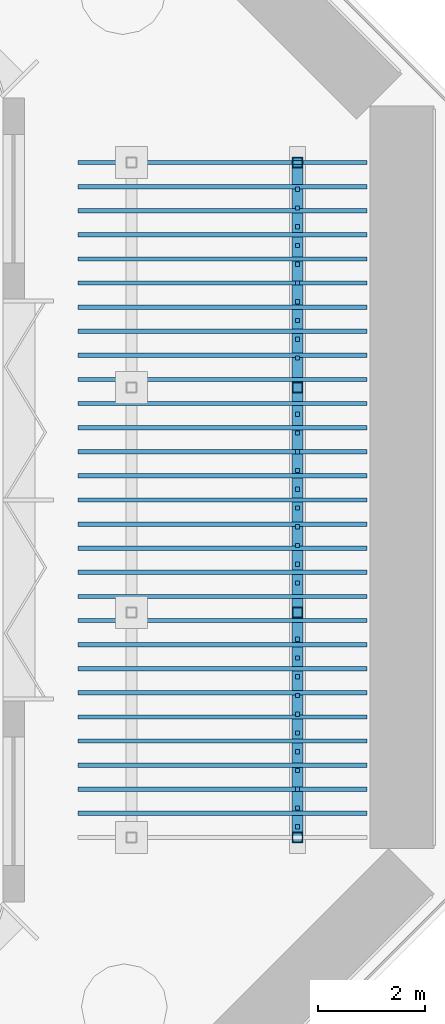
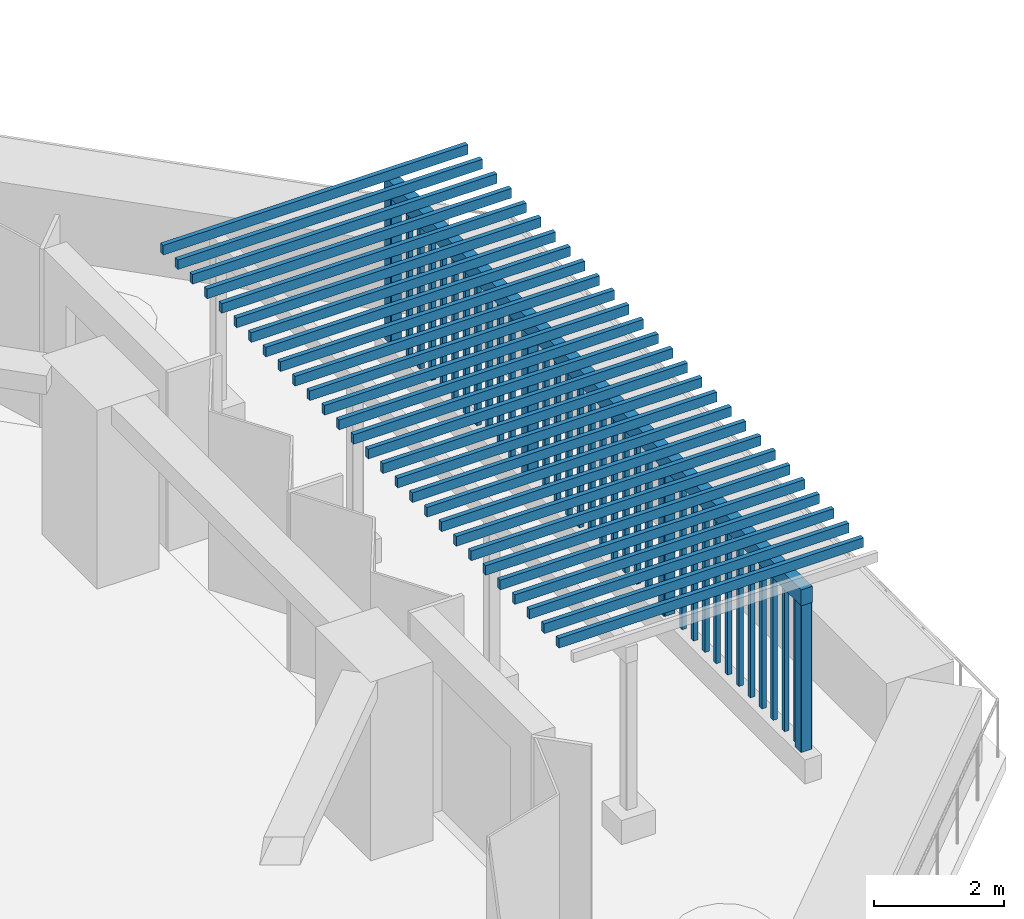
# One storey, part 6 of 18: 64 members.
"""IFC4 building model written with IfcOpenShell, lengths in metres."""

from ifc_helpers import new_model, si_unit, direction, frame, origin, origin_2d, place, context, subcontext, project, spatial, rectangle, hollow_rectangle, extrude, material, material_profile, profile_set, type_object, element, save


model = new_model("IFC4")

# Units and contexts
model_context = context("Model", 3, precision=1e-05, world=origin(), true_north=direction((0.0, 1.0)))
body_context = subcontext(model_context, "Body", "Model", "MODEL_VIEW")
ifc_project = project(units=[si_unit("LENGTHUNIT", "METRE"), si_unit("AREAUNIT", "SQUARE_METRE"), si_unit("VOLUMEUNIT", "CUBIC_METRE"), si_unit("PLANEANGLEUNIT", "RADIAN"), si_unit("MASSUNIT", "GRAM", prefix="KILO")], contexts=[model_context])

# Site, building, storey
site_placement = place(None, origin())
site = spatial("IfcSite", under=ifc_project, at=site_placement, CompositionType="ELEMENT")
building_placement = place(site_placement, origin())
building = spatial("IfcBuilding", under=site, at=building_placement, Name="Brevane Broadcast Tower", CompositionType="ELEMENT")
storey_placement = place(building_placement, frame((0.0, 0.0, 134.89990234375)))
storey = spatial("IfcBuildingStorey", under=building, at=storey_placement, Name="L33", CompositionType="ELEMENT", Elevation=134.89990234375)

# Members
ifc_material_1 = material(Name="Steel S355", Category="steel")
ifc_material_profile_1 = material_profile(ifc_material_1, hollow_rectangle(XDim=0.199951171875, YDim=0.199951171875, WallThickness=0.010009765625, InnerFilletRadius=0.010009765625, OuterFilletRadius=0.02001953125, at=origin_2d()), Name="RHS 200x200x10")
ifc_profile_set_1 = profile_set([ifc_material_profile_1], Name="Steel S355")
member_type_1 = type_object("IfcMemberType", Name="Sky garden pergola post RHS 200x200x10 S355", PredefinedType="POST", material=ifc_profile_set_1)
for number, where, z_axis, x_axis, name in (
    (1, (65.199951171875, 6.300048828125, 0.4501953125), (0.0, 0.0, 1.0), (1.0, 0.0, 0.0), "Sky garden trellis post L33-5"),
    (2, (65.199951171875, 10.5, 0.4501953125), (0.0, 0.0, 1.0), (1.0, 0.0, 0.0), "Sky garden trellis post L33-6"),
    (3, (65.199951171875, 14.699951171875, 0.4501953125), (0.0, 0.0, 1.0), (1.0, 0.0, 0.0), "Sky garden trellis post L33-7"),
    (4, (65.199951171875, 18.89990234375, 0.4501953125), (0.0, 0.0, 1.0), (1.0, 0.0, 0.0), "Sky garden trellis post L33-8"),
):
    element("IfcMember", number, at=place(storey_placement, frame(where, z_axis=z_axis, x_axis=x_axis)), inside=storey, type_object=member_type_1, Name=name, PredefinedType="POST", context=body_context, shape_type="SweptSolid", body=[
        extrude(hollow_rectangle(XDim=0.199951171875, YDim=0.199951171875, WallThickness=0.010009765625, InnerFilletRadius=0.010009765625, OuterFilletRadius=0.02001953125, at=origin_2d()), origin(), (0.0, 0.0, 1.0), 2.75),
    ])
ifc_material_2 = material(Name="Glulam GL28h", Category="wood")
ifc_material_profile_2 = material_profile(ifc_material_2, rectangle(XDim=0.199951171875, YDim=0.300048828125, at=origin_2d()), Name="RECT 200x300")
ifc_profile_set_2 = profile_set([ifc_material_profile_2], Name="Glulam GL28h")
member_type_2 = type_object("IfcMemberType", Name="Sky garden trellis beam glulam 200x300 GL28h", PredefinedType="USERDEFINED", material=ifc_profile_set_2)
member_placement = place(storey_placement, frame((65.199951171875, 6.199951171875, 3.35009765625), z_axis=(0.0, 1.0, 0.0), x_axis=(-1.0, 0.0, 0.0)))
element("IfcMember", 5, at=member_placement, inside=storey, type_object=member_type_2, Name="Sky garden trellis beam L33-2", ObjectType="TRELLIS BEAM", PredefinedType="USERDEFINED", context=body_context, shape_type="SweptSolid", body=[
    extrude(rectangle(XDim=0.199951171875, YDim=0.300048828125, at=origin_2d()), origin(), (0.0, 0.0, 1.0), 12.800048828125),
])
ifc_material_profile_3 = material_profile(ifc_material_2, rectangle(XDim=0.080078125, YDim=0.179931640625, at=origin_2d()), Name="RECT 80x180")
ifc_profile_set_3 = profile_set([ifc_material_profile_3], Name="Glulam GL28h")
member_type_3 = type_object("IfcMemberType", Name="Sky garden trellis rafter glulam 80x180 GL28h", PredefinedType="USERDEFINED", material=ifc_profile_set_3)
for number, where, z_axis, x_axis, name in (
    (6, (61.10009765625, 6.75, 3.590087890625), (1.0, 0.0, 0.0), (0.0, 1.0, 0.0), "Sky garden trellis rafter L33-2"),
    (7, (61.10009765625, 7.199951171875, 3.590087890625), (1.0, 0.0, 0.0), (0.0, 1.0, 0.0), "Sky garden trellis rafter L33-3"),
    (8, (61.10009765625, 7.64990234375, 3.590087890625), (1.0, 0.0, 0.0), (0.0, 1.0, 0.0), "Sky garden trellis rafter L33-4"),
    (9, (61.10009765625, 8.10009765625, 3.590087890625), (1.0, 0.0, 0.0), (0.0, 1.0, 0.0), "Sky garden trellis rafter L33-5"),
    (10, (61.10009765625, 8.550048828125, 3.590087890625), (1.0, 0.0, 0.0), (0.0, 1.0, 0.0), "Sky garden trellis rafter L33-6"),
    (11, (61.10009765625, 9.0, 3.590087890625), (1.0, 0.0, 0.0), (0.0, 1.0, 0.0), "Sky garden trellis rafter L33-7"),
    (12, (61.10009765625, 9.449951171875, 3.590087890625), (1.0, 0.0, 0.0), (0.0, 1.0, 0.0), "Sky garden trellis rafter L33-8"),
    (13, (61.10009765625, 9.89990234375, 3.590087890625), (1.0, 0.0, 0.0), (0.0, 1.0, 0.0), "Sky garden trellis rafter L33-9"),
    (14, (61.10009765625, 10.35009765625, 3.590087890625), (1.0, 0.0, 0.0), (0.0, 1.0, 0.0), "Sky garden trellis rafter L33-10"),
    (15, (61.10009765625, 10.800048828125, 3.590087890625), (1.0, 0.0, 0.0), (0.0, 1.0, 0.0), "Sky garden trellis rafter L33-11"),
    (16, (61.10009765625, 11.25, 3.590087890625), (1.0, 0.0, 0.0), (0.0, 1.0, 0.0), "Sky garden trellis rafter L33-12"),
    (17, (61.10009765625, 11.699951171875, 3.590087890625), (1.0, 0.0, 0.0), (0.0, 1.0, 0.0), "Sky garden trellis rafter L33-13"),
    (18, (61.10009765625, 12.14990234375, 3.590087890625), (1.0, 0.0, 0.0), (0.0, 1.0, 0.0), "Sky garden trellis rafter L33-14"),
    (19, (61.10009765625, 12.60009765625, 3.590087890625), (1.0, 0.0, 0.0), (0.0, 1.0, 0.0), "Sky garden trellis rafter L33-15"),
    (20, (61.10009765625, 13.050048828125, 3.590087890625), (1.0, 0.0, 0.0), (0.0, 1.0, 0.0), "Sky garden trellis rafter L33-16"),
    (21, (61.10009765625, 13.5, 3.590087890625), (1.0, 0.0, 0.0), (0.0, 1.0, 0.0), "Sky garden trellis rafter L33-17"),
    (22, (61.10009765625, 13.949951171875, 3.590087890625), (1.0, 0.0, 0.0), (0.0, 1.0, 0.0), "Sky garden trellis rafter L33-18"),
    (23, (61.10009765625, 14.39990234375, 3.590087890625), (1.0, 0.0, 0.0), (0.0, 1.0, 0.0), "Sky garden trellis rafter L33-19"),
    (24, (61.10009765625, 14.85009765625, 3.590087890625), (1.0, 0.0, 0.0), (0.0, 1.0, 0.0), "Sky garden trellis rafter L33-20"),
    (25, (61.10009765625, 15.300048828125, 3.590087890625), (1.0, 0.0, 0.0), (0.0, 1.0, 0.0), "Sky garden trellis rafter L33-21"),
    (26, (61.10009765625, 15.75, 3.590087890625), (1.0, 0.0, 0.0), (0.0, 1.0, 0.0), "Sky garden trellis rafter L33-22"),
    (27, (61.10009765625, 16.199951171875, 3.590087890625), (1.0, 0.0, 0.0), (0.0, 1.0, 0.0), "Sky garden trellis rafter L33-23"),
    (28, (61.10009765625, 16.64990234375, 3.590087890625), (1.0, 0.0, 0.0), (0.0, 1.0, 0.0), "Sky garden trellis rafter L33-24"),
    (29, (61.10009765625, 17.10009765625, 3.590087890625), (1.0, 0.0, 0.0), (0.0, 1.0, 0.0), "Sky garden trellis rafter L33-25"),
    (30, (61.10009765625, 17.550048828125, 3.590087890625), (1.0, 0.0, 0.0), (0.0, 1.0, 0.0), "Sky garden trellis rafter L33-26"),
    (31, (61.10009765625, 18.0, 3.590087890625), (1.0, 0.0, 0.0), (0.0, 1.0, 0.0), "Sky garden trellis rafter L33-27"),
    (32, (61.10009765625, 18.449951171875, 3.590087890625), (1.0, 0.0, 0.0), (0.0, 1.0, 0.0), "Sky garden trellis rafter L33-28"),
    (33, (61.10009765625, 18.89990234375, 3.590087890625), (1.0, 0.0, 0.0), (0.0, 1.0, 0.0), "Sky garden trellis rafter L33-29"),
):
    element("IfcMember", number, at=place(storey_placement, frame(where, z_axis=z_axis, x_axis=x_axis)), inside=storey, type_object=member_type_3, Name=name, ObjectType="TRELLIS RAFTER", PredefinedType="USERDEFINED", context=body_context, shape_type="SweptSolid", body=[
        extrude(rectangle(XDim=0.080078125, YDim=0.179931640625, at=origin_2d()), origin(), (0.0, 0.0, 1.0), 5.39990234375),
    ])
ifc_material_profile_4 = material_profile(ifc_material_2, rectangle(XDim=0.080078125, YDim=0.080078125, at=origin_2d()), Name="RECT 80x80")
ifc_profile_set_4 = profile_set([ifc_material_profile_4], Name="Glulam GL28h")
member_type_4 = type_object("IfcMemberType", Name="Sky garden trellis slat glulam 80x80 GL28h", PredefinedType="USERDEFINED", material=ifc_profile_set_4)
for number, where, z_axis, x_axis, name in (
    (34, (65.199951171875, 6.5, 0.4501953125), (0.0, 0.0, 1.0), (1.0, 0.0, 0.0), "Sky garden trellis slat L33-1"),
    (35, (65.199951171875, 6.85009765625, 0.4501953125), (0.0, 0.0, 1.0), (1.0, 0.0, 0.0), "Sky garden trellis slat L33-2"),
    (36, (65.199951171875, 7.199951171875, 0.4501953125), (0.0, 0.0, 1.0), (1.0, 0.0, 0.0), "Sky garden trellis slat L33-3"),
    (37, (65.199951171875, 7.550048828125, 0.4501953125), (0.0, 0.0, 1.0), (1.0, 0.0, 0.0), "Sky garden trellis slat L33-4"),
    (38, (65.199951171875, 7.89990234375, 0.4501953125), (0.0, 0.0, 1.0), (1.0, 0.0, 0.0), "Sky garden trellis slat L33-5"),
    (39, (65.199951171875, 8.25, 0.4501953125), (0.0, 0.0, 1.0), (1.0, 0.0, 0.0), "Sky garden trellis slat L33-6"),
    (40, (65.199951171875, 8.60009765625, 0.4501953125), (0.0, 0.0, 1.0), (1.0, 0.0, 0.0), "Sky garden trellis slat L33-7"),
    (41, (65.199951171875, 8.949951171875, 0.4501953125), (0.0, 0.0, 1.0), (1.0, 0.0, 0.0), "Sky garden trellis slat L33-8"),
    (42, (65.199951171875, 9.300048828125, 0.4501953125), (0.0, 0.0, 1.0), (1.0, 0.0, 0.0), "Sky garden trellis slat L33-9"),
    (43, (65.199951171875, 9.64990234375, 0.4501953125), (0.0, 0.0, 1.0), (1.0, 0.0, 0.0), "Sky garden trellis slat L33-10"),
    (44, (65.199951171875, 10.0, 0.4501953125), (0.0, 0.0, 1.0), (1.0, 0.0, 0.0), "Sky garden trellis slat L33-11"),
    (45, (65.199951171875, 11.050048828125, 0.4501953125), (0.0, 0.0, 1.0), (1.0, 0.0, 0.0), "Sky garden trellis slat L33-12"),
    (46, (65.199951171875, 11.39990234375, 0.4501953125), (0.0, 0.0, 1.0), (1.0, 0.0, 0.0), "Sky garden trellis slat L33-13"),
    (47, (65.199951171875, 11.75, 0.4501953125), (0.0, 0.0, 1.0), (1.0, 0.0, 0.0), "Sky garden trellis slat L33-14"),
    (48, (65.199951171875, 12.10009765625, 0.4501953125), (0.0, 0.0, 1.0), (1.0, 0.0, 0.0), "Sky garden trellis slat L33-15"),
    (49, (65.199951171875, 12.449951171875, 0.4501953125), (0.0, 0.0, 1.0), (1.0, 0.0, 0.0), "Sky garden trellis slat L33-16"),
    (50, (65.199951171875, 12.800048828125, 0.4501953125), (0.0, 0.0, 1.0), (1.0, 0.0, 0.0), "Sky garden trellis slat L33-17"),
    (51, (65.199951171875, 13.14990234375, 0.4501953125), (0.0, 0.0, 1.0), (1.0, 0.0, 0.0), "Sky garden trellis slat L33-18"),
    (52, (65.199951171875, 13.5, 0.4501953125), (0.0, 0.0, 1.0), (1.0, 0.0, 0.0), "Sky garden trellis slat L33-19"),
    (53, (65.199951171875, 13.85009765625, 0.4501953125), (0.0, 0.0, 1.0), (1.0, 0.0, 0.0), "Sky garden trellis slat L33-20"),
    (54, (65.199951171875, 14.199951171875, 0.4501953125), (0.0, 0.0, 1.0), (1.0, 0.0, 0.0), "Sky garden trellis slat L33-21"),
    (55, (65.199951171875, 15.25, 0.4501953125), (0.0, 0.0, 1.0), (1.0, 0.0, 0.0), "Sky garden trellis slat L33-22"),
    (56, (65.199951171875, 15.60009765625, 0.4501953125), (0.0, 0.0, 1.0), (1.0, 0.0, 0.0), "Sky garden trellis slat L33-23"),
    (57, (65.199951171875, 15.949951171875, 0.4501953125), (0.0, 0.0, 1.0), (1.0, 0.0, 0.0), "Sky garden trellis slat L33-24"),
    (58, (65.199951171875, 16.300048828125, 0.4501953125), (0.0, 0.0, 1.0), (1.0, 0.0, 0.0), "Sky garden trellis slat L33-25"),
    (59, (65.199951171875, 16.64990234375, 0.4501953125), (0.0, 0.0, 1.0), (1.0, 0.0, 0.0), "Sky garden trellis slat L33-26"),
    (60, (65.199951171875, 17.0, 0.4501953125), (0.0, 0.0, 1.0), (1.0, 0.0, 0.0), "Sky garden trellis slat L33-27"),
    (61, (65.199951171875, 17.35009765625, 0.4501953125), (0.0, 0.0, 1.0), (1.0, 0.0, 0.0), "Sky garden trellis slat L33-28"),
    (62, (65.199951171875, 17.699951171875, 0.4501953125), (0.0, 0.0, 1.0), (1.0, 0.0, 0.0), "Sky garden trellis slat L33-29"),
    (63, (65.199951171875, 18.050048828125, 0.4501953125), (0.0, 0.0, 1.0), (1.0, 0.0, 0.0), "Sky garden trellis slat L33-30"),
    (64, (65.199951171875, 18.39990234375, 0.4501953125), (0.0, 0.0, 1.0), (1.0, 0.0, 0.0), "Sky garden trellis slat L33-31"),
):
    element("IfcMember", number, at=place(storey_placement, frame(where, z_axis=z_axis, x_axis=x_axis)), inside=storey, type_object=member_type_4, Name=name, ObjectType="TRELLIS SLAT", PredefinedType="USERDEFINED", context=body_context, shape_type="SweptSolid", body=[
        extrude(rectangle(XDim=0.080078125, YDim=0.080078125, at=origin_2d()), origin(), (0.0, 0.0, 1.0), 2.75),
    ])

save(model, "model.ifc")
